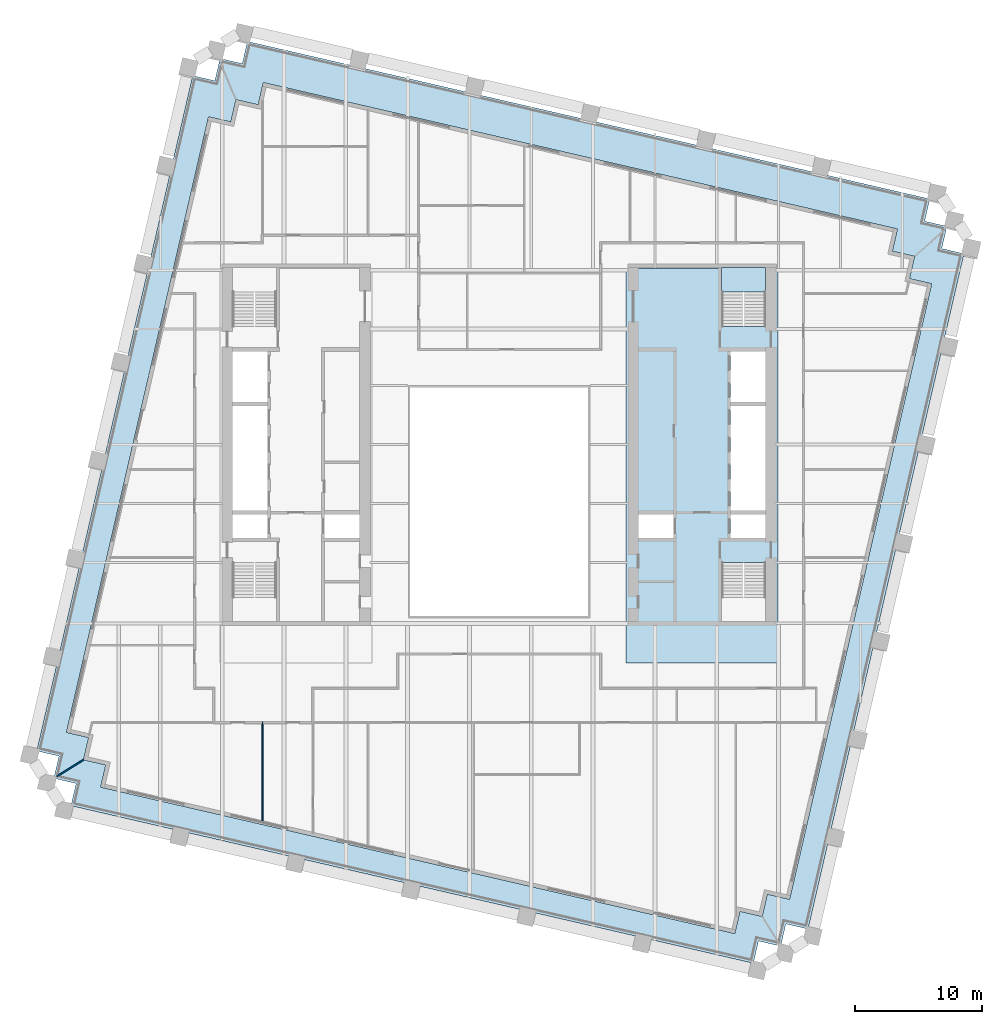
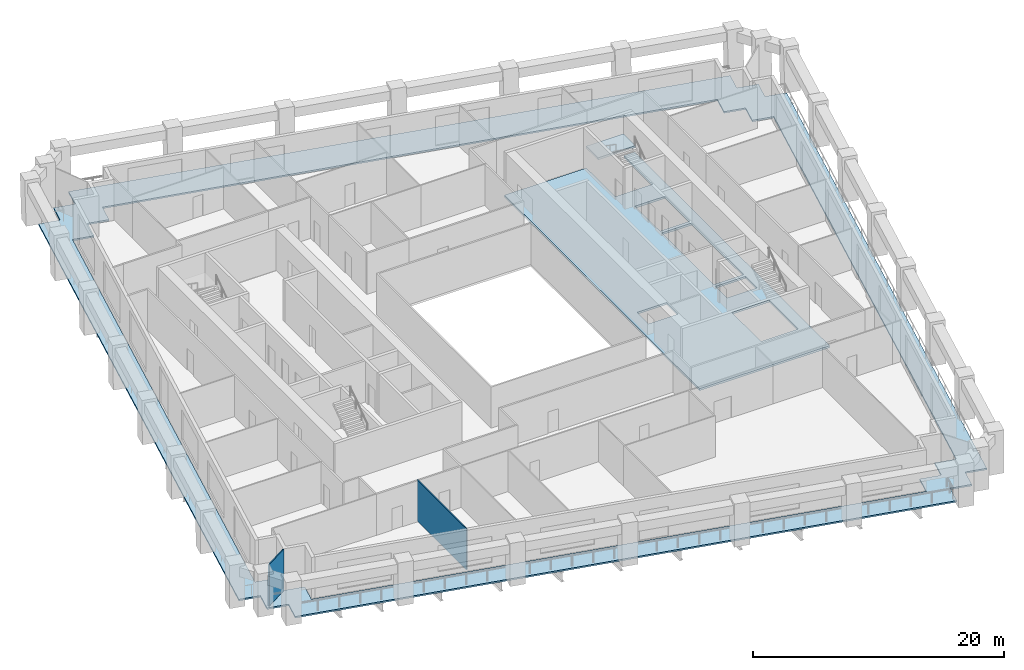
# One storey, part 3 of 11: 3 slabs, 2 walls, 1 element without a shape of its own.
"""IFC4 building model written with IfcOpenShell, lengths in metres."""

from ifc_helpers import new_model, si_unit, direction, frame, frame_2d, origin, place, context, subcontext, project, spatial, polyline, rectangle, outline, extrude, material, layer, layer_set, type_object, element, aggregate, save


model = new_model("IFC4")

# Units and contexts
model_context = context("Model", 3, precision=1e-05, world=origin(), true_north=direction((0.0, 1.0)))
body_context = subcontext(model_context, "Body", "Model", "MODEL_VIEW")
ifc_project = project(units=[si_unit("LENGTHUNIT", "METRE"), si_unit("AREAUNIT", "SQUARE_METRE"), si_unit("VOLUMEUNIT", "CUBIC_METRE"), si_unit("PLANEANGLEUNIT", "RADIAN"), si_unit("MASSUNIT", "GRAM", prefix="KILO")], contexts=[model_context])

# Site, building, storey
site_placement = place(None, origin())
site = spatial("IfcSite", under=ifc_project, at=site_placement, CompositionType="ELEMENT")
building_placement = place(site_placement, origin())
building = spatial("IfcBuilding", under=site, at=building_placement, Name="Ogive Exchange Tower", CompositionType="ELEMENT")
storey_placement = place(building_placement, frame((0.0, 0.0, 109.800048828125)))
storey = spatial("IfcBuildingStorey", under=building, at=storey_placement, Name="L23", CompositionType="ELEMENT", Elevation=109.800048828125)

# Slabs
ifc_material_1 = material(Name="Concrete C70/85", Category="concrete")
ifc_layer_1 = layer(ifc_material_1, 0.199951171875)
ifc_layer_set_1 = layer_set([ifc_layer_1], Name="Core floor slab 200")
slab_type_1 = type_object("IfcSlabType", Name="Core floor slab 200", PredefinedType="FLOOR", material=ifc_layer_set_1)
slab_1_placement = place(storey_placement, frame((0.0, 0.0, -0.199951171875)))
element("IfcSlab", 1, at=slab_1_placement, inside=storey, type_object=slab_type_1, Name="Core floor slab", PredefinedType="FLOOR", context=body_context, shape_type="SweptSolid", body=[
    extrude(outline(polyline([(22.0, 25.39990234375), (22.0, -5.699951171875), (10.0, -5.699951171875), (10.0, 25.39990234375), (17.550048828125, 25.39990234375), (17.550048828125, 20.803955078125), (21.0, 20.803955078125), (21.0, 25.39990234375), (22.0, 25.39990234375)]), holes=[polyline([(21.0, 2.196044921875), (17.550048828125, 2.196044921875), (17.550048828125, -2.449951171875), (21.0, -2.449951171875), (21.0, 2.196044921875)]), polyline([(13.75, 5.992919921875), (11.0, 5.992919921875), (11.0, 4.14990234375), (13.75, 4.14990234375), (13.75, 5.992919921875)]), polyline([(21.0, 5.992919921875), (18.25, 5.992919921875), (18.25, 4.14990234375), (21.0, 4.14990234375), (21.0, 5.992919921875)]), polyline([(18.25, 14.564208984375), (18.25, 6.29296875), (21.0, 6.29296875), (21.0, 14.564208984375), (18.25, 14.564208984375)]), polyline([(21.0, 18.85009765625), (18.25, 18.85009765625), (18.25, 14.8642578125), (21.0, 14.8642578125), (21.0, 18.85009765625)])]), origin(), (0.0, 0.0, 1.0), 0.199951171875),
])
ifc_material_2 = material(Name="Concrete C50/60", Category="concrete")
ifc_layer_2 = layer(ifc_material_2, 0.14990234375)
ifc_layer_set_2 = layer_set([ifc_layer_2], Name="Loggia deck 150")
slab_type_2 = type_object("IfcSlabType", Name="Loggia deck 150", PredefinedType="FLOOR", material=ifc_layer_set_2)
slab_2_placement = place(storey_placement, frame((0.0, 0.0, -0.199951171875)))
element("IfcSlab", 2, at=slab_2_placement, inside=storey, type_object=slab_type_2, Name="Loggia deck", PredefinedType="FLOOR", context=body_context, shape_type="SweptSolid", body=[
    extrude(outline(polyline([(-33.33740234375, -15.20703125), (-35.09130859375, -14.802001953125), (-34.686279296875, -13.04833984375), (-36.440185546875, -12.643310546875), (-24.15185546875, 40.583740234375), (-22.39794921875, 40.178955078125), (-21.992919921875, 41.932861328125), (-20.2392578125, 41.52783203125), (-19.834228515625, 43.28173828125), (33.950927734375, 30.864501953125), (33.546142578125, 29.110595703125), (35.2998046875, 28.70556640625), (34.89501953125, 26.951904296875), (36.64892578125, 26.546875), (24.3603515625, -26.680419921875), (22.6064453125, -26.275390625), (22.20166015625, -28.029296875), (20.44775390625, -27.62451171875), (20.04296875, -29.378173828125), (-33.742431640625, -16.9609375), (-33.33740234375, -15.20703125)]), holes=[polyline([(18.986328125, -25.28564453125), (20.740234375, -25.690673828125), (21.145263671875, -23.936767578125), (22.89892578125, -24.341552734375), (34.1015625, 24.181884765625), (32.34765625, 24.5869140625), (32.752685546875, 26.3408203125), (30.998779296875, 26.74560546875), (31.40380859375, 28.49951171875), (-18.58154296875, 40.03955078125), (-18.986328125, 38.28564453125), (-20.740234375, 38.690673828125), (-21.145263671875, 36.936767578125), (-22.89892578125, 37.341552734375), (-34.1015625, -11.181884765625), (-32.34765625, -11.5869140625), (-32.752685546875, -13.3408203125), (-30.998779296875, -13.74560546875), (-31.40380859375, -15.49951171875), (18.58154296875, -27.03955078125), (18.986328125, -25.28564453125)])]), origin(), (0.0, 0.0, 1.0), 0.14990234375),
])

# Stair, slab
ifc_material_3 = material(Name="Concrete C40/50", Category="concrete")
stair_type = type_object("IfcStairType", Name="Exit stair 1650 wide", PredefinedType="HALF_TURN_STAIR", material=ifc_material_3)
stair_placement = place(storey_placement, origin())
stair = element("IfcStair", 3, at=stair_placement, inside=storey, type_object=stair_type, Name="L23 exit stair ST4", PredefinedType="HALF_TURN_STAIR")
ifc_layer_3 = layer(ifc_material_3, 0.199951171875)
ifc_layer_set_3 = layer_set([ifc_layer_3], Name="Stair landing 200 slab")
slab_type_3 = type_object("IfcSlabType", Name="Stair landing 200 slab", PredefinedType="LANDING", material=ifc_layer_set_3)
slab_3_placement = place(storey_placement, frame((0.0, 0.0, 1.89990234375)))
slab_3 = element("IfcSlab", 4, at=slab_3_placement, type_object=slab_type_3, Name="ST4 landing 1", PredefinedType="LANDING", context=body_context, shape_type="SweptSolid", body=[
    extrude(outline(polyline([(21.0, 23.550048828125), (21.0, 25.449951171875), (17.550048828125, 25.449951171875), (17.550048828125, 23.550048828125), (21.0, 23.550048828125)])), origin(), (0.0, 0.0, 1.0), 0.199951171875),
])
aggregate(stair, [slab_3])

# Walls
ifc_material_4 = material(Name="Laminated safety glass in steel frame", Category="steel")
ifc_layer_4 = layer(ifc_material_4, 0.10009765625)
ifc_layer_set_4 = layer_set([ifc_layer_4], Name="Loggia end screen 100")
wall_type_1 = type_object("IfcWallType", Name="Loggia end screen 100", PredefinedType="STANDARD", material=ifc_layer_set_4)
wall_1_placement = place(storey_placement, frame((-32.752685546875, -13.3408203125, -0.050048828125), z_axis=(0.0, 0.0, 1.0), x_axis=(-0.848059759764, -0.529900598103, 0.0)))
element("IfcWall", 5, at=wall_1_placement, inside=storey, type_object=wall_type_1, Name="Loggia end screen C4", PredefinedType="STANDARD", context=body_context, shape_type="SweptSolid", body=[
    extrude(rectangle(XDim=2.454833984375, YDim=0.10009765625, at=frame_2d((1.2275390625, 0.0))), origin(), (0.0, 0.0, 1.0), 4.050048828125),
])
ifc_material_5 = material(Name="Partition 100 gypsum")
ifc_layer_5 = layer(ifc_material_5, 0.10009765625)
ifc_layer_set_5 = layer_set([ifc_layer_5], Name="Partition 100 gypsum")
wall_type_2 = type_object("IfcWallType", Name="Partition 100 gypsum", PredefinedType="PARTITIONING", material=ifc_layer_set_5)
wall_2_placement = place(storey_placement, frame((-18.64990234375, -18.218994140625, 0.0), z_axis=(0.0, 0.0, 1.0), x_axis=(0.0, 1.0, 0.0)))
element("IfcWall", 6, at=wall_2_placement, inside=storey, type_object=wall_type_2, Name="L23-PWL-015", PredefinedType="PARTITIONING", context=body_context, shape_type="SweptSolid", body=[
    extrude(rectangle(XDim=7.884033203125, YDim=0.10009765625, at=frame_2d((3.94189453125, 0.0))), origin(), (0.0, 0.0, 1.0), 4.0),
])

save(model, "model.ifc")
